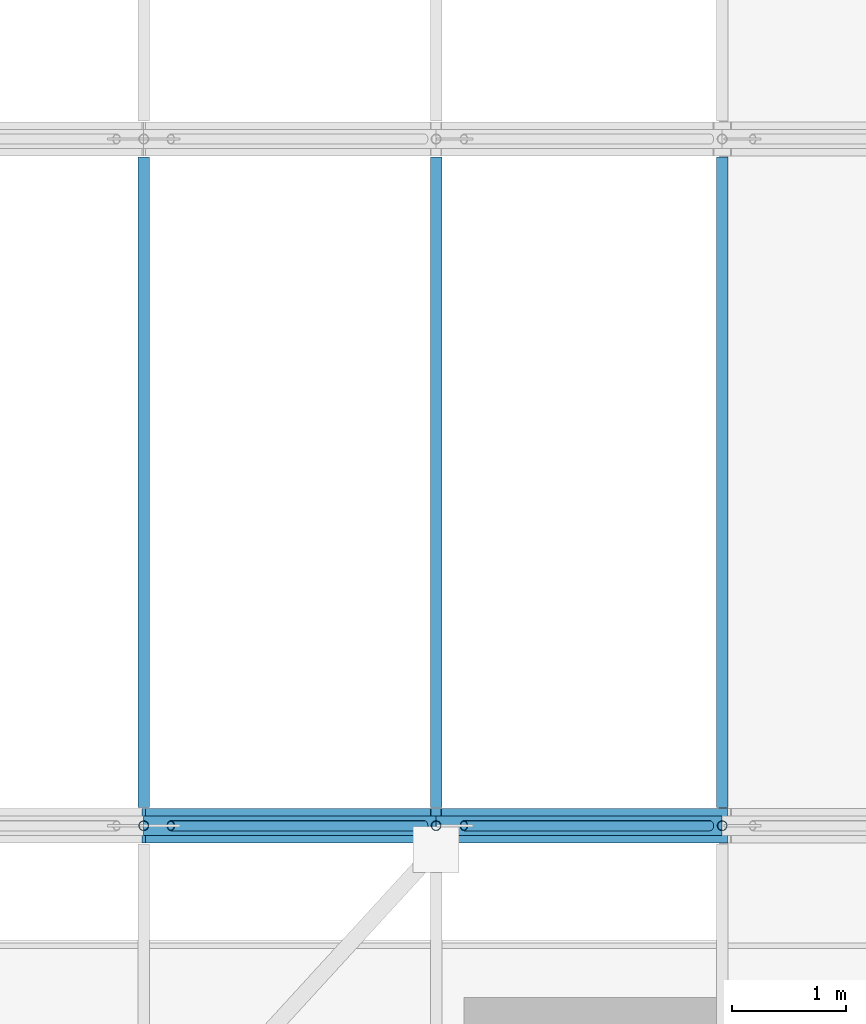
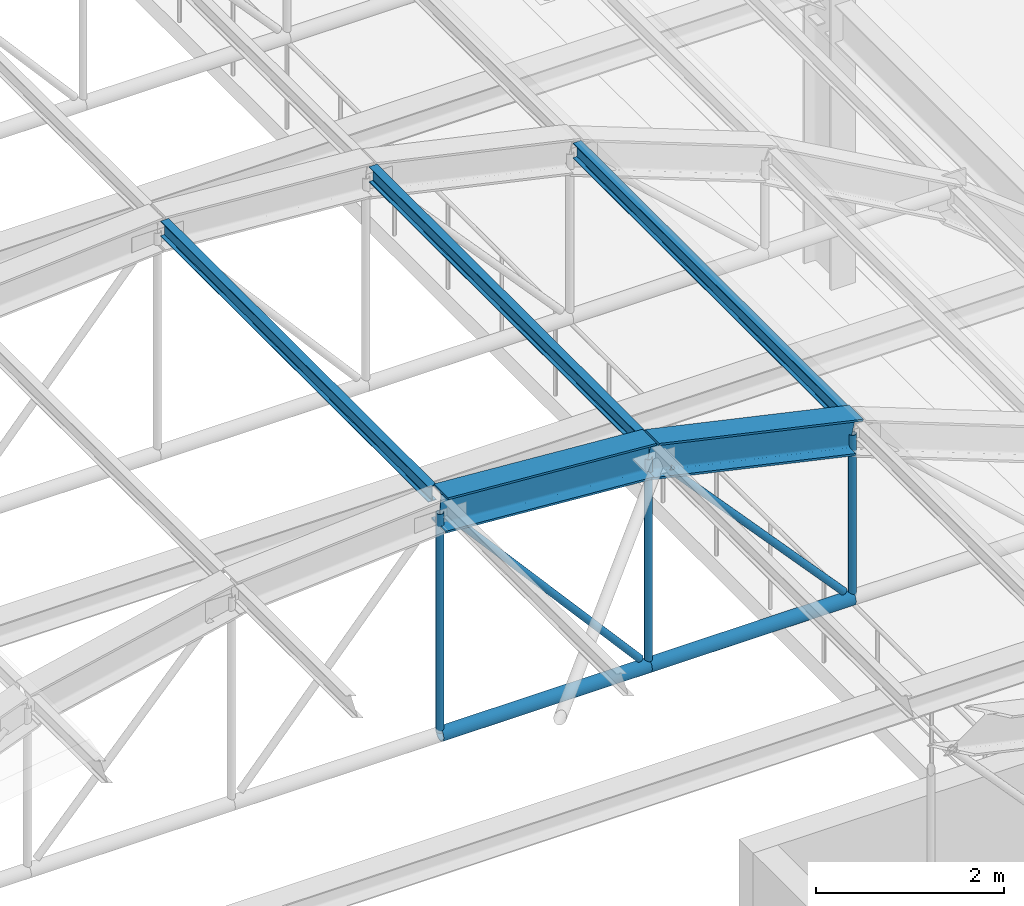
# One storey, part 39 of 148: 7 members, 5 beams.
"""IFC4 building model written with IfcOpenShell, lengths in metres."""

import ifcopenshell
import ifcopenshell.guid

model = None  # the IFC model being written
_history = None  # IfcOwnerHistory: only IFC2X3 demands one
_inside = {}  # id of a spatial element -> (the spatial element, [elements in it])
_under = {}  # id of a project, library or spatial element -> (it, [spatial elements below it])
_declared = {}  # id of a project -> (the project, [libraries it declares])
_typed = {}  # id of a type object -> (the type object, [elements of that type])
_made_of = {}  # id of a material, layer set ... -> (it, [elements and type objects made of it])


def new_model(schema):
    """Start an empty IFC model of exactly this schema.

    Asked for "IFC4X3", IfcOpenShell would pick the latest addendum, in which some entities
    have other attributes; the version numbers below select the first issue.
    IFC2X3 requires an IfcOwnerHistory on every rooted entity: one is made here for all.
    """
    global model, _history
    if schema == "IFC4X3":
        model = ifcopenshell.file(schema_version=(4, 3, 0, 0))
    else:
        model = ifcopenshell.file(schema=schema)
    _inside.clear()
    _under.clear()
    _declared.clear()
    _typed.clear()
    _made_of.clear()
    _history = None
    if model.schema == "IFC2X3":
        org = make("IfcOrganization", Name="unknown")
        user = make(
            "IfcPersonAndOrganization",
            ThePerson=make("IfcPerson", FamilyName="unknown"),
            TheOrganization=org,
        )
        app = make(
            "IfcApplication",
            ApplicationDeveloper=org,
            Version="unknown",
            ApplicationFullName="unknown",
            ApplicationIdentifier="unknown",
        )
        _history = make(
            "IfcOwnerHistory",
            OwningUser=user,
            OwningApplication=app,
            ChangeAction="ADDED",
            CreationDate=0,
        )
    return model


def make(cls, **values):
    """One entity of the class cls with the attributes given. An attribute that is None is left unset."""
    return model.create_entity(
        cls, **{name: value for name, value in values.items() if value is not None}
    )


def rooted(cls, **values):
    """An entity with a GlobalId (a new one), such as an element, a storey or a relation."""
    return make(cls, GlobalId=ifcopenshell.guid.new(), OwnerHistory=_history, **values)


def si_unit(unit_type, name, prefix=None):
    """IfcSIUnit, for example si_unit("LENGTHUNIT", "METRE", prefix="MILLI")."""
    return make("IfcSIUnit", UnitType=unit_type, Prefix=prefix, Name=name)


def assignment(units):
    """IfcUnitAssignment: the units of a project."""
    return None if units is None else make("IfcUnitAssignment", Units=units)


def point(xyz):
    """IfcCartesianPoint."""
    return None if xyz is None else make("IfcCartesianPoint", Coordinates=xyz)


def direction(xyz):
    """IfcDirection."""
    return None if xyz is None else make("IfcDirection", DirectionRatios=xyz)


def frame(location, z_axis=None, x_axis=None):
    """IfcAxis2Placement3D, a coordinate frame: its origin and axes. An axis left out is left unset."""
    return make(
        "IfcAxis2Placement3D",
        Location=point(location),
        Axis=direction(z_axis),
        RefDirection=direction(x_axis),
    )


def frame_2d(location, x_axis=None):
    """IfcAxis2Placement2D, a coordinate frame in the plane: its origin and x axis."""
    return make(
        "IfcAxis2Placement2D", Location=point(location), RefDirection=direction(x_axis)
    )


def origin():
    """The frame at (0, 0, 0) with its axes left unset."""
    return frame((0.0, 0.0, 0.0))


def origin_2d():
    """The frame at (0, 0) in the plane with its x axis left unset."""
    return frame_2d((0.0, 0.0))


def place(relative_to, where):
    """IfcLocalPlacement: puts the frame where relative to a parent placement (None: the world)."""
    return make(
        "IfcLocalPlacement", PlacementRelTo=relative_to, RelativePlacement=where
    )


def context(
    kind, dimensions, precision=None, world=None, true_north=None, identifier=None
):
    """IfcGeometricRepresentationContext, for example the 3D "Model" context."""
    return make(
        "IfcGeometricRepresentationContext",
        ContextIdentifier=identifier,
        ContextType=kind,
        CoordinateSpaceDimension=dimensions,
        Precision=precision,
        WorldCoordinateSystem=world,
        TrueNorth=true_north,
    )


def subcontext(parent, identifier, kind, view, scale=None):
    """IfcGeometricRepresentationSubContext, for example "Body" below "Model"."""
    return make(
        "IfcGeometricRepresentationSubContext",
        ContextIdentifier=identifier,
        ContextType=kind,
        ParentContext=parent,
        TargetScale=scale,
        TargetView=view,
    )


def project(units=None, contexts=None):
    """IfcProject with its units and contexts."""
    return rooted(
        "IfcProject",
        Name="project",
        RepresentationContexts=contexts,
        UnitsInContext=assignment(units),
    )


def spatial(cls, under=None, at=None, **own):
    """A site, building, storey or space (cls), placed at a placement, below another one or the project."""
    s = rooted(cls, ObjectPlacement=at, **own)
    if under is not None:
        _under.setdefault(under.id(), (under, []))[1].append(s)
    return s


def profile(cls, at=None, kind="AREA", **sizes):
    """A parametric profile (cls). Its sizes go by their IFC names, for example OverallWidth=200.0."""
    return make(cls, ProfileType=kind, Position=at, **sizes)


def hollow_circle(**sizes):
    """IfcCircleHollowProfileDef."""
    return profile("IfcCircleHollowProfileDef", **sizes)


def i_section(**sizes):
    """IfcIShapeProfileDef."""
    return profile("IfcIShapeProfileDef", **sizes)


def extrude(swept, where, along, depth):
    """IfcExtrudedAreaSolid: the profile swept, set in the frame where, extruded along a direction by depth."""
    return make(
        "IfcExtrudedAreaSolid",
        SweptArea=swept,
        Position=where,
        ExtrudedDirection=direction(along),
        Depth=depth,
    )


def shape(context_of_items, identifier, shape_type, items):
    """IfcShapeRepresentation: the items that make up one representation, for example the "Body"."""
    return make(
        "IfcShapeRepresentation",
        ContextOfItems=context_of_items,
        RepresentationIdentifier=identifier,
        RepresentationType=shape_type,
        Items=items,
    )


def material(Name=None, Category=None):
    """IfcMaterial."""
    return make("IfcMaterial", Name=Name, Category=Category)


def material_profile(
    of_material, cross_section, Name=None, Category=None, Priority=None
):
    """IfcMaterialProfile: a cross section and its material."""
    return make(
        "IfcMaterialProfile",
        Name=Name,
        Material=of_material,
        Profile=cross_section,
        Priority=Priority,
        Category=Category,
    )


def profile_set(profiles, Name=None, composite=None):
    """IfcMaterialProfileSet."""
    return make(
        "IfcMaterialProfileSet",
        Name=Name,
        MaterialProfiles=profiles,
        CompositeProfile=composite,
    )


def made_of(thing, what):
    """Note that an element or type object is made of a material, layer set ...; save() writes the relation."""
    if what is not None:
        _made_of.setdefault(what.id(), (what, []))[1].append(thing)
    return thing


def type_object(cls, material=None, **own):
    """A type object (cls), such as IfcWallType, which elements share."""
    return made_of(rooted(cls, **own), material)


def element(
    cls,
    number,
    at=None,
    inside=None,
    cuts=None,
    type_object=None,
    material=None,
    context=None,
    identifier="Body",
    shape_type=None,
    held_by="IfcProductDefinitionShape",
    body=None,
    shapes=None,
    **own,
):
    """One element of the class cls, such as IfcWall. Its Tag is "e" and its number.

    at: its placement. inside: the storey or other place that contains it. cuts: it is an
    opening in that element (IfcRelVoidsElement). A single representation is given by context,
    identifier, shape_type and body (its items); several are given by shapes. held_by: the class
    of the entity that holds the representations. save() writes the other relations.
    """
    e = rooted(cls, Tag="e%d" % number, ObjectPlacement=at, **own)
    if body is not None:
        shapes = [shape(context, identifier, shape_type, body)]
    if shapes is not None:
        e.Representation = make(held_by, Representations=shapes)
    if inside is not None:
        _inside.setdefault(inside.id(), (inside, []))[1].append(e)
    if cuts is not None:
        rooted(
            "IfcRelVoidsElement", RelatingBuildingElement=cuts, RelatedOpeningElement=e
        )
    if type_object is not None:
        _typed.setdefault(type_object.id(), (type_object, []))[1].append(e)
    return made_of(e, material)


def aggregate(whole, parts):
    """IfcRelAggregates: a whole, such as a stair, and the parts it consists of."""
    return rooted("IfcRelAggregates", RelatingObject=whole, RelatedObjects=parts)


def save(model, path):
    """Write the relations noted so far, then the file.

    IfcRelAggregates (storeys below a building ...), IfcRelContainedInSpatialStructure (elements
    in a storey), IfcRelDefinesByType, IfcRelAssociatesMaterial and IfcRelDeclares: one each for
    every whole, place, type object, material and project.
    """
    for whole, parts in _under.values():
        aggregate(whole, parts)
    for where, things in _inside.values():
        rooted(
            "IfcRelContainedInSpatialStructure",
            RelatedElements=things,
            RelatingStructure=where,
        )
    for kind, things in _typed.values():
        rooted("IfcRelDefinesByType", RelatedObjects=things, RelatingType=kind)
    for what, things in _made_of.values():
        rooted("IfcRelAssociatesMaterial", RelatedObjects=things, RelatingMaterial=what)
    for by, libraries in _declared.values():
        rooted("IfcRelDeclares", RelatingContext=by, RelatedDefinitions=libraries)
    model.write(path)


model = new_model("IFC4")

# Units and contexts
model_context = context("Model", 3, precision=1e-05, world=origin(), true_north=direction((0.0, 1.0)))
body_context = subcontext(model_context, "Body", "Model", "MODEL_VIEW")
ifc_project = project(units=[si_unit("LENGTHUNIT", "METRE"), si_unit("AREAUNIT", "SQUARE_METRE"), si_unit("VOLUMEUNIT", "CUBIC_METRE"), si_unit("PLANEANGLEUNIT", "RADIAN"), si_unit("MASSUNIT", "GRAM", prefix="KILO"), si_unit("THERMODYNAMICTEMPERATUREUNIT", "KELVIN"), si_unit("POWERUNIT", "WATT")], contexts=[model_context])

# Site, building, storey
site_placement = place(None, origin())
site = spatial("IfcSite", under=ifc_project, at=site_placement, CompositionType="ELEMENT")
building_placement = place(site_placement, origin())
building = spatial("IfcBuilding", under=site, at=building_placement, Name="Solvatero Civic Police Headquarters", CompositionType="ELEMENT")
storey_placement = place(building_placement, frame((0.0, 0.0, 5.10009765625)))
storey = spatial("IfcBuildingStorey", under=building, at=storey_placement, Name="L01", CompositionType="ELEMENT", Elevation=5.10009765625)

# Beams
ifc_material = material(Name="Steel S355", Category="steel")
ifc_material_profile_1 = material_profile(ifc_material, i_section(OverallWidth=0.300048828125, OverallDepth=0.449951171875, WebThickness=0.013916015625, FlangeThickness=0.02587890625, FilletRadius=0.027099609375, at=origin_2d()), Name="HEB 450")
ifc_profile_set_1 = profile_set([ifc_material_profile_1], Name="Steel S355")
beam_type_1 = type_object("IfcBeamType", Name="BM-ST-HEB450", PredefinedType="BEAM", material=ifc_profile_set_1)
beam_1_placement = place(storey_placement, frame((110.5, 16.800048828125, 8.31396484375), z_axis=(0.997304549883, 0.0, -0.073373256584), x_axis=(0.0, 1.0, 0.0)))
element("IfcBeam", 1, at=beam_1_placement, inside=storey, type_object=beam_type_1, Name="VLT1 Tied-Arch Vault Top Chord F3.6", PredefinedType="BEAM", context=body_context, shape_type="SweptSolid", body=[
    extrude(i_section(OverallWidth=0.300048828125, OverallDepth=0.449951171875, WebThickness=0.013916015625, FlangeThickness=0.02587890625, FilletRadius=0.027099609375, at=origin_2d()), origin(), (0.0, 0.0, 1.0), 2.56201171875),
])
beam_2_placement = place(storey_placement, frame((113.05517578125, 16.800048828125, 8.1171875), z_axis=(0.975854055758, 0.0, -0.218423583574), x_axis=(0.0, 1.0, 0.0)))
element("IfcBeam", 2, at=beam_2_placement, inside=storey, type_object=beam_type_1, Name="VLT1 Tied-Arch Vault Top Chord F3.7", PredefinedType="BEAM", context=body_context, shape_type="SweptSolid", body=[
    extrude(i_section(OverallWidth=0.300048828125, OverallDepth=0.449951171875, WebThickness=0.013916015625, FlangeThickness=0.02587890625, FilletRadius=0.027099609375, at=origin_2d()), origin(), (0.0, 0.0, 1.0), 2.561767578125),
])
ifc_material_profile_2 = material_profile(ifc_material, i_section(OverallWidth=0.10009765625, OverallDepth=0.199951171875, WebThickness=0.005615234375, FlangeThickness=0.008544921875, FilletRadius=0.011962890625, at=origin_2d()), Name="IPE 200")
ifc_profile_set_2 = profile_set([ifc_material_profile_2], Name="Steel S355")
beam_type_2 = type_object("IfcBeamType", Name="BM-ST-IPE200", PredefinedType="JOIST", material=ifc_profile_set_2)
for number, where, z_axis, x_axis, name in (
    (3, (110.5, 16.9580078125, 8.41455078125), (0.0, 1.0, 0.0), (-1.0, 0.0, 0.0), "VLT1 Vault Roof Purlin B3.5"),
    (4, (113.05517578125, 16.9580078125, 8.222900390625), (0.0, 1.0, 0.0), (-1.0, 0.0, 0.0), "VLT1 Vault Roof Purlin B3.6"),
    (5, (115.55517578125, 16.9580078125, 7.65576171875), (0.0, 1.0, 0.0), (-1.0, 0.0, 0.0), "VLT1 Vault Roof Purlin B3.7"),
):
    element("IfcBeam", number, at=place(storey_placement, frame(where, z_axis=z_axis, x_axis=x_axis)), inside=storey, type_object=beam_type_2, Name=name, PredefinedType="JOIST", context=body_context, shape_type="SweptSolid", body=[
        extrude(i_section(OverallWidth=0.10009765625, OverallDepth=0.199951171875, WebThickness=0.005615234375, FlangeThickness=0.008544921875, FilletRadius=0.011962890625, at=origin_2d()), origin(), (0.0, 0.0, 1.0), 5.68408203125),
    ])

# Members
ifc_material_profile_3 = material_profile(ifc_material, hollow_circle(Radius=0.04443359375, WallThickness=0.00634765625, at=origin_2d()), Name="CHS 88.9x6.3")
ifc_profile_set_3 = profile_set([ifc_material_profile_3], Name="Steel S355")
member_type_1 = type_object("IfcMemberType", Name="MB-HNG-CHS89", PredefinedType="STRUT", material=ifc_profile_set_3)
member_1_placement = place(storey_placement, frame((112.949951171875, 16.800048828125, 5.51220703125), z_axis=(-0.657605371239, 0.0, 0.753362579186), x_axis=(0.0, -1.0, 0.0)))
element("IfcMember", 6, at=member_1_placement, inside=storey, type_object=member_type_1, Name="VLT1 Vault Truss Diagonal Web F3.5", PredefinedType="STRUT", context=body_context, shape_type="SweptSolid", body=[
    extrude(hollow_circle(Radius=0.04443359375, WallThickness=0.00634765625, at=origin_2d()), origin(), (0.0, 0.0, 1.0), 3.365478515625),
])
member_2_placement = place(storey_placement, frame((115.447265625, 16.800048828125, 5.509765625), z_axis=(-0.674096872288, 0.0, 0.73864294945), x_axis=(0.0, -1.0, 0.0)))
element("IfcMember", 7, at=member_2_placement, inside=storey, type_object=member_type_1, Name="VLT1 Vault Truss Diagonal Web F3.6", PredefinedType="STRUT", context=body_context, shape_type="SweptSolid", body=[
    extrude(hollow_circle(Radius=0.04443359375, WallThickness=0.00634765625, at=origin_2d()), origin(), (0.0, 0.0, 1.0), 3.1884765625),
])
member_3_placement = place(storey_placement, frame((110.5, 16.800048828125, 5.431640625), z_axis=(0.0, 0.0, 1.0), x_axis=(1.0, 0.0, 0.0)))
element("IfcMember", 8, at=member_3_placement, inside=storey, type_object=member_type_1, Name="VLT1 Vault Vertical Hanger F3.5", PredefinedType="STRUT", context=body_context, shape_type="SweptSolid", body=[
    extrude(hollow_circle(Radius=0.04443359375, WallThickness=0.00634765625, at=origin_2d()), origin(), (0.0, 0.0, 1.0), 2.837158203125),
])
member_4_placement = place(storey_placement, frame((113.05517578125, 16.800048828125, 5.431640625), z_axis=(0.0, 0.0, 1.0), x_axis=(1.0, 0.0, 0.0)))
element("IfcMember", 9, at=member_4_placement, inside=storey, type_object=member_type_1, Name="VLT1 Vault Vertical Hanger F3.6", PredefinedType="STRUT", context=body_context, shape_type="SweptSolid", body=[
    extrude(hollow_circle(Radius=0.04443359375, WallThickness=0.00634765625, at=origin_2d()), origin(), (0.0, 0.0, 1.0), 2.649169921875),
])
member_5_placement = place(storey_placement, frame((115.55517578125, 16.800048828125, 5.431640625), z_axis=(0.0, 0.0, 1.0), x_axis=(1.0, 0.0, 0.0)))
element("IfcMember", 10, at=member_5_placement, inside=storey, type_object=member_type_1, Name="VLT1 Vault Vertical Hanger F3.7", PredefinedType="STRUT", context=body_context, shape_type="SweptSolid", body=[
    extrude(hollow_circle(Radius=0.04443359375, WallThickness=0.00634765625, at=origin_2d()), origin(), (0.0, 0.0, 1.0), 2.08935546875),
])
ifc_material_profile_4 = material_profile(ifc_material, hollow_circle(Radius=0.084228515625, WallThickness=0.010009765625, at=origin_2d()), Name="CHS 168.3x10.0")
ifc_profile_set_4 = profile_set([ifc_material_profile_4], Name="Steel S355")
member_type_2 = type_object("IfcMemberType", Name="MB-TIE-CHS168", PredefinedType="CHORD", material=ifc_profile_set_4)
member_6_placement = place(storey_placement, frame((110.5, 16.800048828125, 5.3916015625), z_axis=(1.0, 0.0, 0.0), x_axis=(0.0, 1.0, 0.0)))
element("IfcMember", 11, at=member_6_placement, inside=storey, type_object=member_type_2, Name="VLT1 Vault Horizontal Tie Chord F3.5", PredefinedType="CHORD", context=body_context, shape_type="SweptSolid", body=[
    extrude(hollow_circle(Radius=0.084228515625, WallThickness=0.010009765625, at=origin_2d()), origin(), (0.0, 0.0, 1.0), 2.55517578125),
])
member_7_placement = place(storey_placement, frame((113.05517578125, 16.800048828125, 5.3916015625), z_axis=(1.0, 0.0, 0.0), x_axis=(0.0, 1.0, 0.0)))
element("IfcMember", 12, at=member_7_placement, inside=storey, type_object=member_type_2, Name="VLT1 Vault Horizontal Tie Chord F3.6", PredefinedType="CHORD", context=body_context, shape_type="SweptSolid", body=[
    extrude(hollow_circle(Radius=0.084228515625, WallThickness=0.010009765625, at=origin_2d()), origin(), (0.0, 0.0, 1.0), 2.5),
])

save(model, "model.ifc")
